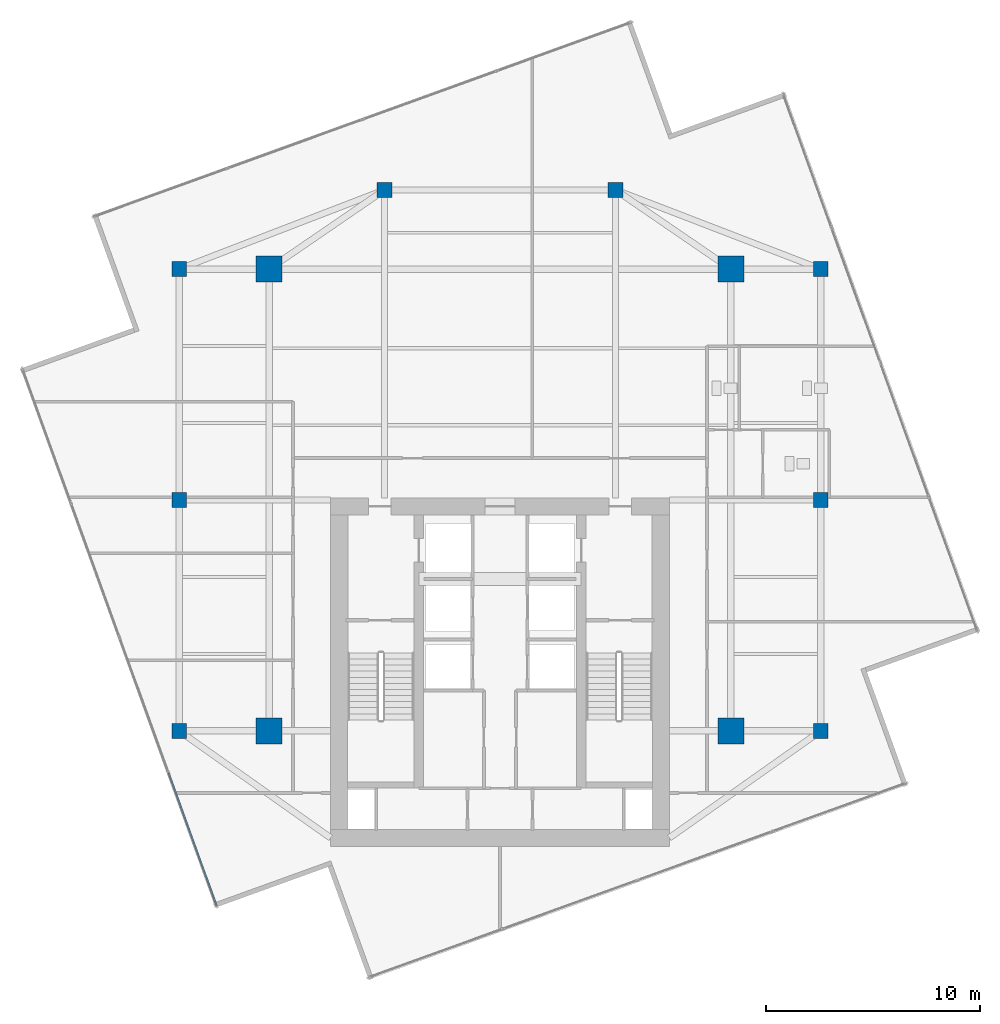
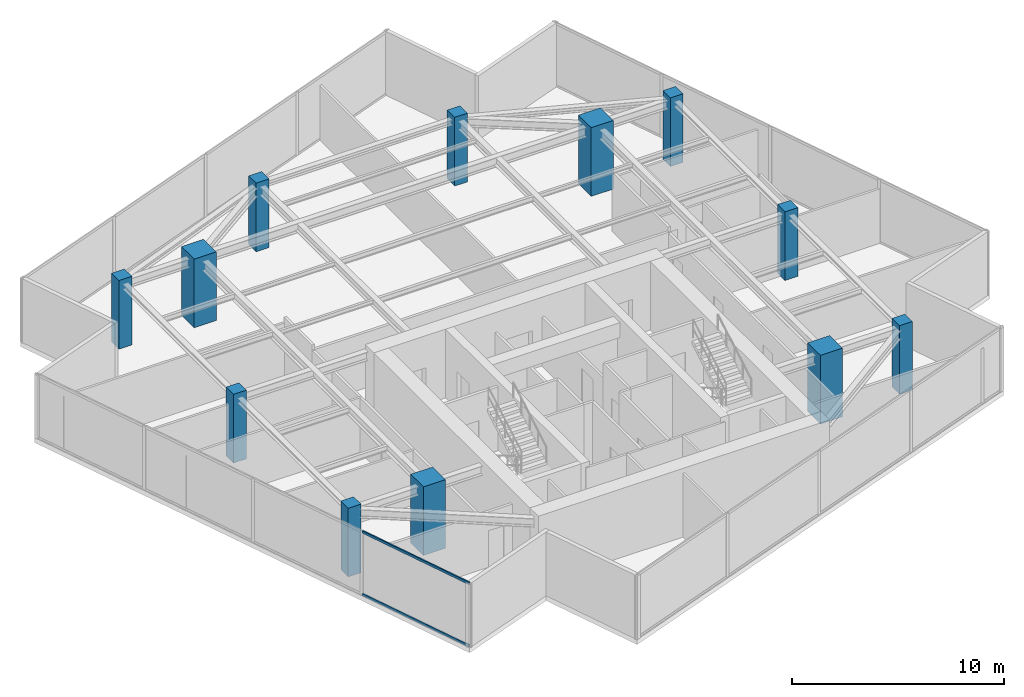
# One storey, part 1 of 21: 12 columns, 2 members, 1 element without a shape of its own.
"""IFC4 building model written with IfcOpenShell, lengths in metres."""

from ifc_helpers import new_model, si_unit, direction, frame, origin, origin_2d, place, context, subcontext, project, spatial, rectangle, hollow_rectangle, extrude, source, transform, mapped, material, material_profile, profile_set, type_object, type_shapes, element, aggregate, save


model = new_model("IFC4")

# Units and contexts
model_context = context("Model", 3, precision=1e-05, world=origin(), true_north=direction((0.0, 1.0)))
body_context = subcontext(model_context, "Body", "Model", "MODEL_VIEW")
ifc_project = project(units=[si_unit("LENGTHUNIT", "METRE"), si_unit("AREAUNIT", "SQUARE_METRE"), si_unit("VOLUMEUNIT", "CUBIC_METRE"), si_unit("PLANEANGLEUNIT", "RADIAN"), si_unit("MASSUNIT", "GRAM", prefix="KILO")], contexts=[model_context])

# Site, building, storey
site_placement = place(None, origin())
site = spatial("IfcSite", under=ifc_project, at=site_placement, CompositionType="ELEMENT")
building_placement = place(site_placement, origin())
building = spatial("IfcBuilding", under=site, at=building_placement, Name="Krantzveldt Concourse Tower", CompositionType="ELEMENT")
storey_placement = place(building_placement, frame((0.0, 0.0, 331.64990234375)))
storey = spatial("IfcBuildingStorey", under=building, at=storey_placement, Name="L81", CompositionType="ELEMENT", Elevation=331.64990234375)

# Columns
ifc_material_1 = material(Name="Concrete C50/60", Category="concrete")
ifc_material_profile_1 = material_profile(ifc_material_1, rectangle(XDim=1.199951171875, YDim=1.199951171875, at=origin_2d()), Name="Concrete C50/60", Category="concrete")
ifc_profile_set_1 = profile_set([ifc_material_profile_1], Name="Concrete C50/60 - RC 1200x1200")
column_type_1 = type_object("IfcColumnType", Name="COL-MC-1200", PredefinedType="USERDEFINED", material=ifc_profile_set_1)
shared_shape_1 = source(origin(), body_context, "Body", "SweptSolid", [
    extrude(rectangle(XDim=1.199951171875, YDim=1.199951171875, at=origin_2d()), origin(), (0.0, 0.0, 1.0), 3.9501953125),
])
type_shapes(column_type_1, [shared_shape_1])
for number, where, z_axis, x_axis, name in (
    (1, (25.199951171875, 15.89990234375, 0.0), (0.0, 0.0, 1.0), (1.0, 0.0, 0.0), "MC-SW-L81"),
    (2, (46.800048828125, 15.89990234375, 0.0), (0.0, 0.0, 1.0), (1.0, 0.0, 0.0), "MC-SE-L81"),
    (3, (46.800048828125, 37.5, 0.0), (0.0, 0.0, 1.0), (1.0, 0.0, 0.0), "MC-NE-L81"),
    (4, (25.199951171875, 37.5, 0.0), (0.0, 0.0, 1.0), (1.0, 0.0, 0.0), "MC-NW-L81"),
):
    element("IfcColumn", number, at=place(storey_placement, frame(where, z_axis=z_axis, x_axis=x_axis)), inside=storey, type_object=column_type_1, Name=name, ObjectType="MEGA COLUMN", PredefinedType="USERDEFINED", context=body_context, shape_type="MappedRepresentation", body=[
        mapped(shared_shape_1, transform((0.0, 0.0, 0.0), x_axis=(1.0, 0.0, 0.0), y_axis=(0.0, 1.0, 0.0), z_axis=(0.0, 0.0, 1.0), scale=1.0)),
    ])
ifc_material_profile_2 = material_profile(ifc_material_1, rectangle(XDim=0.699951171875, YDim=0.699951171875, at=origin_2d()), Name="Concrete C50/60", Category="concrete")
ifc_profile_set_2 = profile_set([ifc_material_profile_2], Name="Concrete C50/60 - RC 700x700")
column_type_2 = type_object("IfcColumnType", Name="COL-C-Z6", PredefinedType="COLUMN", material=ifc_profile_set_2)
shared_shape_2 = source(origin(), body_context, "Body", "SweptSolid", [
    extrude(rectangle(XDim=0.699951171875, YDim=0.699951171875, at=origin_2d()), origin(), (0.0, 0.0, 1.0), 3.9501953125),
])
type_shapes(column_type_2, [shared_shape_2])
for number, where, z_axis, x_axis, name in (
    (5, (21.0, 15.89990234375, 0.0), (0.0, 0.0, 1.0), (1.0, 0.0, 0.0), "PC-R01-L81"),
    (6, (21.0, 26.699951171875, 0.0), (0.0, 0.0, 1.0), (1.0, 0.0, 0.0), "PC-R02-L81"),
    (7, (21.0, 37.5, 0.0), (0.0, 0.0, 1.0), (1.0, 0.0, 0.0), "PC-R03-L81"),
    (8, (30.60009765625, 41.199951171875, 0.0), (0.0, 0.0, 1.0), (1.0, 0.0, 0.0), "PC-R04-L81"),
    (9, (41.39990234375, 41.199951171875, 0.0), (0.0, 0.0, 1.0), (1.0, 0.0, 0.0), "PC-R05-L81"),
    (10, (51.0, 37.5, 0.0), (0.0, 0.0, 1.0), (1.0, 0.0, 0.0), "PC-R06-L81"),
    (11, (51.0, 26.699951171875, 0.0), (0.0, 0.0, 1.0), (1.0, 0.0, 0.0), "PC-R07-L81"),
    (12, (51.0, 15.89990234375, 0.0), (0.0, 0.0, 1.0), (1.0, 0.0, 0.0), "PC-R08-L81"),
):
    element("IfcColumn", number, at=place(storey_placement, frame(where, z_axis=z_axis, x_axis=x_axis)), inside=storey, type_object=column_type_2, Name=name, PredefinedType="COLUMN", context=body_context, shape_type="MappedRepresentation", body=[
        mapped(shared_shape_2, transform((0.0, 0.0, 0.0), x_axis=(1.0, 0.0, 0.0), y_axis=(0.0, 1.0, 0.0), z_axis=(0.0, 0.0, 1.0), scale=1.0)),
    ])

# Curtain wall, members
ifc_material_2 = material(Name="Anodised aluminium 6063-T6", Category="aluminium")
curtain_wall_type = type_object("IfcCurtainWallType", Name="CW4", PredefinedType="USERDEFINED", material=ifc_material_2)
curtain_wall_placement = place(storey_placement, origin())
curtain_wall = element("IfcCurtainWall", 13, at=curtain_wall_placement, inside=storey, type_object=curtain_wall_type, Name="CW-L81-F04", ObjectType="UNITISED CURTAIN WALL", PredefinedType="USERDEFINED")
ifc_material_profile_3 = material_profile(ifc_material_2, hollow_rectangle(XDim=0.070068359375, YDim=0.139892578125, WallThickness=0.0048828125, at=origin_2d()), Name="Anodised aluminium 6063-T6", Category="aluminium")
ifc_profile_set_3 = profile_set([ifc_material_profile_3], Name="Anodised aluminium 6063-T6 - ALU-TRAN 140x70x5")
member_type = type_object("IfcMemberType", Name="CW-TRN-150", PredefinedType="USERDEFINED", material=ifc_profile_set_3)
shared_shape_3 = source(origin(), body_context, "Body", "SweptSolid", [
    extrude(hollow_rectangle(XDim=0.070068359375, YDim=0.139892578125, WallThickness=0.0048828125, at=origin_2d()), origin(), (0.0, 0.0, 1.0), 6.594970703125),
])
type_shapes(member_type, [shared_shape_3])
member_1_placement = place(storey_placement, frame((20.506103515625, 13.937255859375, 0.03515625), z_axis=(0.339950103124, -0.940443473785, 0.0), x_axis=(0.940443473785, 0.339950103124, 0.0)))
member_1 = element("IfcMember", 14, at=member_1_placement, type_object=member_type, Name="CW-Z56 transom 4.1", ObjectType="TRANSOM", PredefinedType="USERDEFINED", context=body_context, shape_type="MappedRepresentation", body=[
    mapped(shared_shape_3, transform((0.0, 0.0, 0.0), x_axis=(1.0, 0.0, 0.0), y_axis=(0.0, 1.0, 0.0), z_axis=(0.0, 0.0, 1.0), scale=1.0)),
])
member_2_placement = place(storey_placement, frame((20.506103515625, 13.937255859375, 3.635009765625), z_axis=(0.339950103124, -0.940443473785, 0.0), x_axis=(0.940443473785, 0.339950103124, 0.0)))
member_2 = element("IfcMember", 15, at=member_2_placement, type_object=member_type, Name="CW-Z56 transom 4.2", ObjectType="TRANSOM", PredefinedType="USERDEFINED", context=body_context, shape_type="MappedRepresentation", body=[
    mapped(shared_shape_3, transform((0.0, 0.0, 0.0), x_axis=(1.0, 0.0, 0.0), y_axis=(0.0, 1.0, 0.0), z_axis=(0.0, 0.0, 1.0), scale=1.0)),
])
aggregate(curtain_wall, [member_1, member_2])

save(model, "model.ifc")
